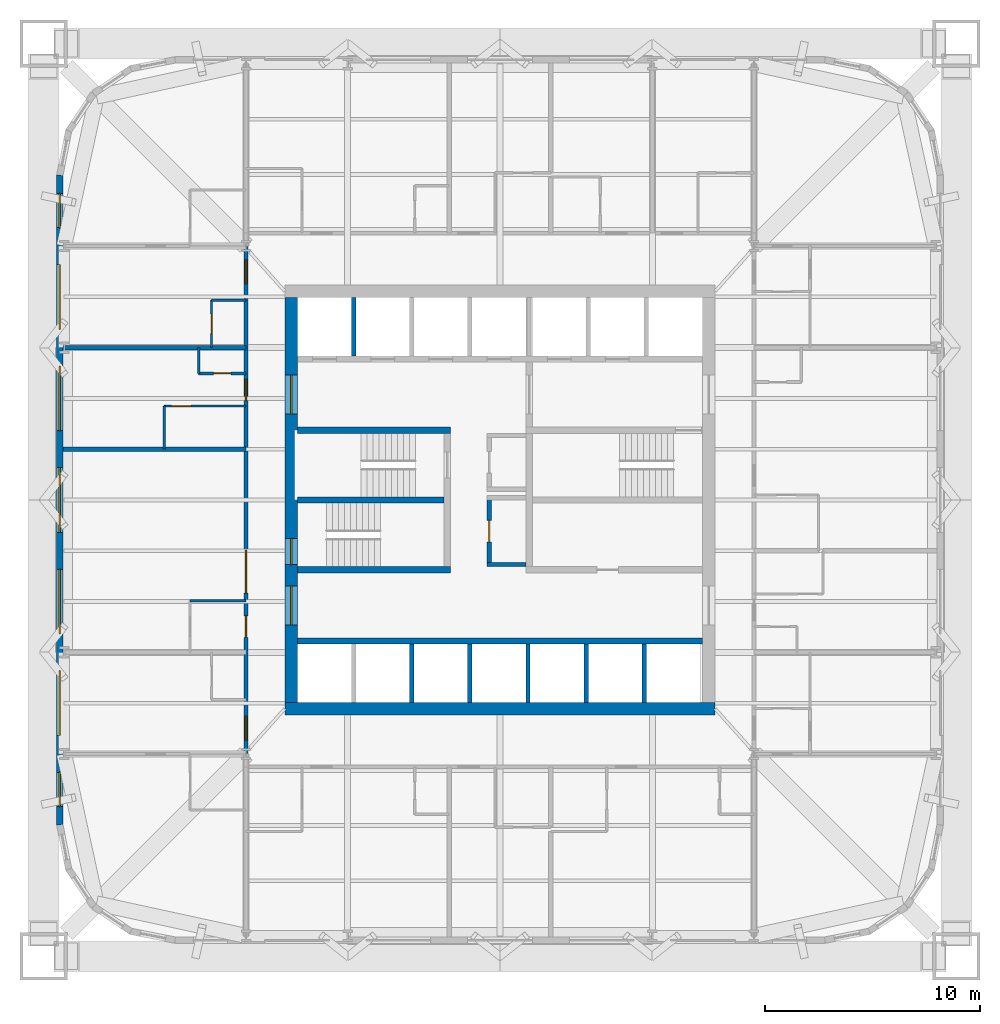
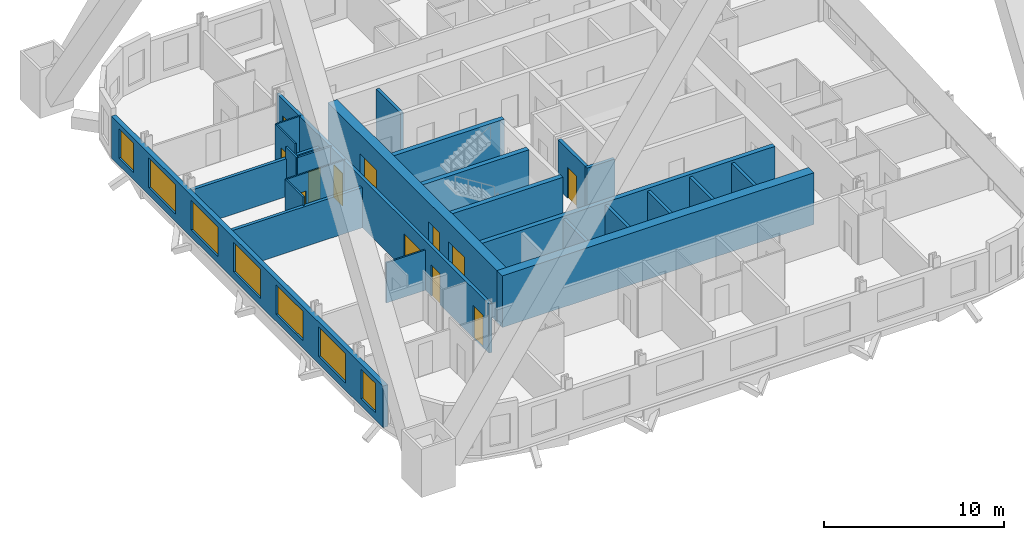
# One storey, part 4 of 9: 25 walls, 12 doors, 7 windows, 19 openings.
"""IFC4 building model written with IfcOpenShell, lengths in metres."""

from ifc_helpers import new_model, si_unit, direction, frame, frame_2d, origin, place, context, subcontext, project, spatial, rectangle, extrude, material, layer, layer_set, type_object, element, fill, save


model = new_model("IFC4")

# Units and contexts
model_context = context("Model", 3, precision=1e-05, world=origin(), true_north=direction((0.0, 1.0)))
body_context = subcontext(model_context, "Body", "Model", "MODEL_VIEW")
ifc_project = project(units=[si_unit("LENGTHUNIT", "METRE"), si_unit("AREAUNIT", "SQUARE_METRE"), si_unit("VOLUMEUNIT", "CUBIC_METRE"), si_unit("PLANEANGLEUNIT", "RADIAN"), si_unit("MASSUNIT", "GRAM", prefix="KILO")], contexts=[model_context])

# Site, building, storey
site_placement = place(None, origin())
site = spatial("IfcSite", under=ifc_project, at=site_placement, CompositionType="ELEMENT")
building_placement = place(site_placement, origin())
building = spatial("IfcBuilding", under=site, at=building_placement, Name="Turquesa Mirador Hotel Tower", CompositionType="ELEMENT")
storey_placement = place(building_placement, frame((0.0, 0.0, 93.39990234375)))
storey = spatial("IfcBuildingStorey", under=building, at=storey_placement, Name="L24", CompositionType="ELEMENT", Elevation=93.39990234375)

# Wall
ifc_material_1 = material(Name="Gypsum board on steel studs", Category="steel")
ifc_layer_1 = layer(ifc_material_1, 0.10009765625)
ifc_layer_set_1 = layer_set([ifc_layer_1], Name="BATHROOM WALL 100")
wall_type_1 = type_object("IfcWallType", Name="BATHROOM WALL 100", PredefinedType="PARTITIONING", material=ifc_layer_set_1)
wall_1_placement = place(storey_placement, frame((40.60009765625, 40.320068359375, 0.0), z_axis=(0.0, 0.0, 1.0), x_axis=(1.0, 0.0, 0.0)))
element("IfcWall", 1, at=wall_1_placement, inside=storey, type_object=wall_type_1, Name="Partition L24 014", PredefinedType="PARTITIONING", context=body_context, shape_type="SweptSolid", body=[
    extrude(rectangle(XDim=2.599853515625, YDim=0.10009765625, at=frame_2d((1.2998046875, 0.0))), origin(), (0.0, 0.0, 1.0), 2.730712890625),
])

# Wall, opening, door
wall_2_placement = place(storey_placement, frame((39.39990234375, 49.360107421875, 0.0), z_axis=(0.0, 0.0, 1.0), x_axis=(1.0, 0.0, 0.0)))
wall_2 = element("IfcWall", 2, at=wall_2_placement, inside=storey, type_object=wall_type_1, Name="Partition L24 032", PredefinedType="PARTITIONING", context=body_context, shape_type="SweptSolid", body=[
    extrude(rectangle(XDim=3.800048828125, YDim=0.10009765625, at=frame_2d((1.89990234375, 0.0))), origin(), (0.0, 0.0, 1.0), 3.330078125),
])
opening_1_placement = place(wall_2_placement, frame((0.35009765625, 0.0, 0.0)))
opening_1 = element("IfcOpeningElement", 3, at=opening_1_placement, cuts=wall_2, Name="Opening D02", PredefinedType="OPENING", context=body_context, shape_type="SweptSolid", body=[
    extrude(rectangle(XDim=0.89990234375, YDim=2.10009765625, at=frame_2d((0.449951171875, 1.050048828125))), frame((0.0, 0.06005859375, 0.0), z_axis=(0.0, -1.0, 0.0), x_axis=(1.0, 0.0, 0.0)), (0.0, 0.0, 1.0), 0.1201171875),
])
ifc_material_2 = material(Name="Timber veneered door", Category="wood")
door_type_1 = type_object("IfcDoorType", Name="DOOR 900X2100 EN-SUITE", OperationType="SINGLE_SWING_RIGHT", PredefinedType="DOOR", material=ifc_material_2)
door_1_placement = place(opening_1_placement, origin())
door_1 = element("IfcDoor", 4, at=door_1_placement, inside=storey, type_object=door_type_1, Name="Door 2410B", OperationType="SINGLE_SWING_RIGHT", OverallHeight=2.10009765625, OverallWidth=0.89990234375, PredefinedType="DOOR", context=body_context, shape_type="SweptSolid", body=[
    extrude(rectangle(XDim=0.89990234375, YDim=2.10009765625, at=frame_2d((0.449951171875, 1.050048828125))), frame((0.0, 0.02490234375, 0.0), z_axis=(0.0, -1.0, 0.0), x_axis=(1.0, 0.0, 0.0)), (0.0, 0.0, 1.0), 0.050048828125),
])
fill(opening_1, door_1)

# Wall
wall_3_placement = place(storey_placement, frame((41.60009765625, 54.280029296875, 0.0), z_axis=(0.0, 0.0, 1.0), x_axis=(1.0, 0.0, 0.0)))
element("IfcWall", 5, at=wall_3_placement, inside=storey, type_object=wall_type_1, Name="Partition L24 037", PredefinedType="PARTITIONING", context=body_context, shape_type="SweptSolid", body=[
    extrude(rectangle(XDim=1.599853515625, YDim=0.10009765625, at=frame_2d((0.7998046875, 0.0))), origin(), (0.0, 0.0, 1.0), 3.330078125),
])

# Wall, opening, door
wall_4_placement = place(storey_placement, frame((41.60009765625, 52.080078125, 0.0), z_axis=(0.0, 0.0, 1.0), x_axis=(0.0, 1.0, 0.0)))
wall_4 = element("IfcWall", 6, at=wall_4_placement, inside=storey, type_object=wall_type_1, Name="Partition L24 045", PredefinedType="PARTITIONING", context=body_context, shape_type="SweptSolid", body=[
    extrude(rectangle(XDim=2.199951171875, YDim=0.10009765625, at=frame_2d((1.10009765625, 0.0))), origin(), (0.0, 0.0, 1.0), 3.330078125),
])
opening_2_placement = place(wall_4_placement, frame((0.64990234375, 0.0, 0.0)))
opening_2 = element("IfcOpeningElement", 7, at=opening_2_placement, cuts=wall_4, Name="Opening D06", PredefinedType="OPENING", context=body_context, shape_type="SweptSolid", body=[
    extrude(rectangle(XDim=0.89990234375, YDim=2.10009765625, at=frame_2d((0.449951171875, 1.050048828125))), frame((0.0, 0.06005859375, 0.0), z_axis=(0.0, -1.0, 0.0), x_axis=(1.0, 0.0, 0.0)), (0.0, 0.0, 1.0), 0.1201171875),
])
ifc_material_3 = material(Name="Laminate door", Category="wood")
door_type_2 = type_object("IfcDoorType", Name="DOOR 900X2100 WC", OperationType="SINGLE_SWING_LEFT", PredefinedType="DOOR", material=ifc_material_3)
door_2_placement = place(opening_2_placement, origin())
door_2 = element("IfcDoor", 8, at=door_2_placement, inside=storey, type_object=door_type_2, Name="Door 2412W", OperationType="SINGLE_SWING_LEFT", OverallHeight=2.10009765625, OverallWidth=0.89990234375, PredefinedType="DOOR", context=body_context, shape_type="SweptSolid", body=[
    extrude(rectangle(XDim=0.89990234375, YDim=2.10009765625, at=frame_2d((0.449951171875, 1.050048828125))), frame((0.0, 0.02490234375, 0.0), z_axis=(0.0, -1.0, 0.0), x_axis=(1.0, 0.0, 0.0)), (0.0, 0.0, 1.0), 0.050048828125),
])
fill(opening_2, door_2)

# Walls
wall_5_placement = place(storey_placement, frame((39.39990234375, 47.360107421875, 0.0), z_axis=(0.0, 0.0, 1.0), x_axis=(0.0, 1.0, 0.0)))
element("IfcWall", 9, at=wall_5_placement, inside=storey, type_object=wall_type_1, Name="Partition L24 050", PredefinedType="PARTITIONING", context=body_context, shape_type="SweptSolid", body=[
    extrude(rectangle(XDim=2.0, YDim=0.10009765625, at=frame_2d((1.0, 0.0))), origin(), (0.0, 0.0, 1.0), 3.330078125),
])
ifc_material_4 = material(Name="Concrete C50/60", Category="concrete")
ifc_layer_2 = layer(ifc_material_4, 0.300048828125)
ifc_layer_set_2 = layer_set([ifc_layer_2], Name="CORE INNER WALL 300")
wall_type_2 = type_object("IfcWallType", Name="CORE INNER WALL 300", PredefinedType="SHEAR", material=ifc_layer_set_2)
wall_6_placement = place(storey_placement, frame((45.60009765625, 38.449951171875, 0.0), z_axis=(0.0, 0.0, 1.0), x_axis=(1.0, 0.0, 0.0)))
element("IfcWall", 10, at=wall_6_placement, inside=storey, type_object=wall_type_2, Name="Core wall SL", PredefinedType="SHEAR", context=body_context, shape_type="SweptSolid", body=[
    extrude(rectangle(XDim=18.7998046875, YDim=0.300048828125, at=frame_2d((9.39990234375, 0.0))), origin(), (0.0, 0.0, 1.0), 3.5),
])
for number, where, z_axis, x_axis, name in (
    (11, (45.60009765625, 48.25, 0.0), (0.0, 0.0, 1.0), (1.0, 0.0, 0.0), "Core wall MN-W"),
    (12, (45.60009765625, 41.75, 0.0), (0.0, 0.0, 1.0), (1.0, 0.0, 0.0), "Core wall MS-W"),
):
    element("IfcWall", number, at=place(storey_placement, frame(where, z_axis=z_axis, x_axis=x_axis)), inside=storey, type_object=wall_type_2, Name=name, PredefinedType="SHEAR", context=body_context, shape_type="SweptSolid", body=[
        extrude(rectangle(XDim=7.099853515625, YDim=0.300048828125, at=frame_2d((3.5498046875, 0.0))), origin(), (0.0, 0.0, 1.0), 3.5),
    ])
wall_7_placement = place(storey_placement, frame((45.60009765625, 45.0, 0.0), z_axis=(0.0, 0.0, 1.0), x_axis=(1.0, 0.0, 0.0)))
element("IfcWall", 13, at=wall_7_placement, inside=storey, type_object=wall_type_2, Name="Core wall M0-W", PredefinedType="SHEAR", context=body_context, shape_type="SweptSolid", body=[
    extrude(rectangle(XDim=6.7998046875, YDim=0.300048828125, at=frame_2d((3.39990234375, 0.0))), origin(), (0.0, 0.0, 1.0), 3.5),
])
ifc_material_5 = material(Name="Concrete C50/60", Category="concrete")
ifc_layer_3 = layer(ifc_material_5, 0.60009765625)
ifc_layer_set_3 = layer_set([ifc_layer_3], Name="CORE WALL 600")
wall_type_3 = type_object("IfcWallType", Name="CORE WALL 600", PredefinedType="SHEAR", material=ifc_layer_set_3)
wall_8_placement = place(storey_placement, frame((45.0, 35.300048828125, 0.0), z_axis=(0.0, 0.0, 1.0), x_axis=(1.0, 0.0, 0.0)))
element("IfcWall", 14, at=wall_8_placement, inside=storey, type_object=wall_type_3, Name="Core wall S", PredefinedType="SHEAR", context=body_context, shape_type="SweptSolid", body=[
    extrude(rectangle(XDim=20.0, YDim=0.60009765625, at=frame_2d((10.0, 0.0))), origin(), (0.0, 0.0, 1.0), 3.5),
])

# Wall, openings, doors
wall_9_placement = place(storey_placement, frame((45.300048828125, 35.60009765625, 0.0), z_axis=(0.0, 0.0, 1.0), x_axis=(0.0, 1.0, 0.0)))
wall_9 = element("IfcWall", 15, at=wall_9_placement, inside=storey, type_object=wall_type_3, Name="Core wall W", PredefinedType="SHEAR", context=body_context, shape_type="SweptSolid", body=[
    extrude(rectangle(XDim=18.7998046875, YDim=0.60009765625, at=frame_2d((9.39990234375, 0.0))), origin(), (0.0, 0.0, 1.0), 3.5),
])
opening_3_placement = place(wall_9_placement, frame((13.39990234375, 0.0, 0.0)))
opening_3 = element("IfcOpeningElement", 16, at=opening_3_placement, cuts=wall_9, Name="Opening D04", PredefinedType="OPENING", context=body_context, shape_type="SweptSolid", body=[
    extrude(rectangle(XDim=1.800048828125, YDim=2.199951171875, at=frame_2d((0.89990234375, 1.10009765625))), frame((0.0, 0.31005859375, 0.0), z_axis=(0.0, -1.0, 0.0), x_axis=(1.0, 0.0, 0.0)), (0.0, 0.0, 1.0), 0.6201171875),
])
opening_4_placement = place(wall_9_placement, frame((3.60009765625, 0.0, 0.0)))
opening_4 = element("IfcOpeningElement", 17, at=opening_4_placement, cuts=wall_9, Name="Opening D04", PredefinedType="OPENING", context=body_context, shape_type="SweptSolid", body=[
    extrude(rectangle(XDim=1.800048828125, YDim=2.199951171875, at=frame_2d((0.89990234375, 1.10009765625))), frame((0.0, 0.31005859375, 0.0), z_axis=(0.0, -1.0, 0.0), x_axis=(1.0, 0.0, 0.0)), (0.0, 0.0, 1.0), 0.6201171875),
])
opening_5_placement = place(wall_9_placement, frame((6.39990234375, 0.0, 0.0)))
opening_5 = element("IfcOpeningElement", 18, at=opening_5_placement, cuts=wall_9, Name="Opening D03", PredefinedType="OPENING", context=body_context, shape_type="SweptSolid", body=[
    extrude(rectangle(XDim=1.199951171875, YDim=2.199951171875, at=frame_2d((0.60009765625, 1.10009765625))), frame((0.0, 0.31005859375, 0.0), z_axis=(0.0, -1.0, 0.0), x_axis=(1.0, 0.0, 0.0)), (0.0, 0.0, 1.0), 0.6201171875),
])
ifc_material_6 = material(Name="Steel fire door", Category="steel")
door_type_3 = type_object("IfcDoorType", Name="DOOR 1200X2200 STAIR", OperationType="SINGLE_SWING_LEFT", PredefinedType="DOOR", material=ifc_material_6)
door_3_placement = place(opening_5_placement, origin())
door_3 = element("IfcDoor", 19, at=door_3_placement, inside=storey, type_object=door_type_3, Name="Stair ST2 door", OperationType="SINGLE_SWING_LEFT", OverallHeight=2.199951171875, OverallWidth=1.199951171875, PredefinedType="DOOR", context=body_context, shape_type="SweptSolid", body=[
    extrude(rectangle(XDim=1.199951171875, YDim=2.199951171875, at=frame_2d((0.60009765625, 1.10009765625))), frame((0.0, 0.02490234375, 0.0), z_axis=(0.0, -1.0, 0.0), x_axis=(1.0, 0.0, 0.0)), (0.0, 0.0, 1.0), 0.050048828125),
])
fill(opening_5, door_3)
ifc_material_7 = material(Name="Steel fire door pair", Category="steel")
door_type_4 = type_object("IfcDoorType", Name="DOOR 1800X2200 PAIR", OperationType="DOUBLE_DOOR_SINGLE_SWING", PredefinedType="DOOR", material=ifc_material_7)
door_4_placement = place(opening_3_placement, origin())
door_4 = element("IfcDoor", 20, at=door_4_placement, inside=storey, type_object=door_type_4, Name="North lift lobby door", OperationType="DOUBLE_DOOR_SINGLE_SWING", OverallHeight=2.199951171875, OverallWidth=1.800048828125, PredefinedType="DOOR", context=body_context, shape_type="SweptSolid", body=[
    extrude(rectangle(XDim=1.800048828125, YDim=2.199951171875, at=frame_2d((0.89990234375, 1.10009765625))), frame((0.0, 0.02490234375, 0.0), z_axis=(0.0, -1.0, 0.0), x_axis=(1.0, 0.0, 0.0)), (0.0, 0.0, 1.0), 0.050048828125),
])
fill(opening_3, door_4)
door_5_placement = place(opening_4_placement, origin())
door_5 = element("IfcDoor", 21, at=door_5_placement, inside=storey, type_object=door_type_4, Name="South lift lobby door", OperationType="DOUBLE_DOOR_SINGLE_SWING", OverallHeight=2.199951171875, OverallWidth=1.800048828125, PredefinedType="DOOR", context=body_context, shape_type="SweptSolid", body=[
    extrude(rectangle(XDim=1.800048828125, YDim=2.199951171875, at=frame_2d((0.89990234375, 1.10009765625))), frame((0.0, 0.02490234375, 0.0), z_axis=(0.0, -1.0, 0.0), x_axis=(1.0, 0.0, 0.0)), (0.0, 0.0, 1.0), 0.050048828125),
])
fill(opening_4, door_5)

ifc_material_8 = material(Name="Fire-rated gypsum board on steel studs", Category="steel")
ifc_layer_4 = layer(ifc_material_8, 0.199951171875)
ifc_layer_set_4 = layer_set([ifc_layer_4], Name="CORRIDOR WALL 200")
wall_type_4 = type_object("IfcWallType", Name="CORRIDOR WALL 200", PredefinedType="PARTITIONING", material=ifc_layer_set_4)
wall_10_placement = place(storey_placement, frame((43.199951171875, 33.219970703125, 0.0), z_axis=(0.0, 0.0, 1.0), x_axis=(0.0, 1.0, 0.0)))
wall_10 = element("IfcWall", 22, at=wall_10_placement, inside=storey, type_object=wall_type_4, Name="Partition L24 041", PredefinedType="PARTITIONING", context=body_context, shape_type="SweptSolid", body=[
    extrude(rectangle(XDim=23.56005859375, YDim=0.199951171875, at=frame_2d((11.780029296875, 0.0))), origin(), (0.0, 0.0, 1.0), 3.330078125),
])
opening_6_placement = place(wall_10_placement, frame((16.39990234375, 0.0, 0.0)))
opening_6 = element("IfcOpeningElement", 23, at=opening_6_placement, cuts=wall_10, Name="Opening D01", PredefinedType="OPENING", context=body_context, shape_type="SweptSolid", body=[
    extrude(rectangle(XDim=1.0, YDim=2.199951171875, at=frame_2d((0.5, 1.10009765625))), frame((0.0, 0.10986328125, 0.0), z_axis=(0.0, -1.0, 0.0), x_axis=(1.0, 0.0, 0.0)), (0.0, 0.0, 1.0), 0.219970703125),
])
opening_7_placement = place(wall_10_placement, frame((21.830078125, 0.0, 0.0)))
opening_7 = element("IfcOpeningElement", 24, at=opening_7_placement, cuts=wall_10, Name="Opening D15", PredefinedType="OPENING", context=body_context, shape_type="SweptSolid", body=[
    extrude(rectangle(XDim=1.10009765625, YDim=2.199951171875, at=frame_2d((0.550048828125, 1.10009765625))), frame((0.0, 0.10986328125, 0.0), z_axis=(0.0, -1.0, 0.0), x_axis=(1.0, 0.0, 0.0)), (0.0, 0.0, 1.0), 0.219970703125),
])
opening_8_placement = place(wall_10_placement, frame((0.6298828125, 0.0, 0.0)))
opening_8 = element("IfcOpeningElement", 25, at=opening_8_placement, cuts=wall_10, Name="Opening D15", PredefinedType="OPENING", context=body_context, shape_type="SweptSolid", body=[
    extrude(rectangle(XDim=1.10009765625, YDim=2.199951171875, at=frame_2d((0.550048828125, 1.10009765625))), frame((0.0, 0.10986328125, 0.0), z_axis=(0.0, -1.0, 0.0), x_axis=(1.0, 0.0, 0.0)), (0.0, 0.0, 1.0), 0.219970703125),
])
opening_9_placement = place(wall_10_placement, frame((7.449951171875, 0.0, 0.0)))
opening_9 = element("IfcOpeningElement", 26, at=opening_9_placement, cuts=wall_10, Name="Opening D18", PredefinedType="OPENING", context=body_context, shape_type="SweptSolid", body=[
    extrude(rectangle(XDim=2.0, YDim=2.39990234375, at=frame_2d((1.0, 1.199951171875))), frame((0.0, 0.10986328125, 0.0), z_axis=(0.0, -1.0, 0.0), x_axis=(1.0, 0.0, 0.0)), (0.0, 0.0, 1.0), 0.219970703125),
])
opening_10_placement = place(wall_10_placement, frame((5.39990234375, 0.0, 0.0)))
opening_10 = element("IfcOpeningElement", 27, at=opening_10_placement, cuts=wall_10, Name="Opening D05", PredefinedType="OPENING", context=body_context, shape_type="SweptSolid", body=[
    extrude(rectangle(XDim=1.0, YDim=2.10009765625, at=frame_2d((0.5, 1.050048828125))), frame((0.0, 0.10986328125, 0.0), z_axis=(0.0, -1.0, 0.0), x_axis=(1.0, 0.0, 0.0)), (0.0, 0.0, 1.0), 0.219970703125),
])
ifc_material_9 = material(Name="Steel fire door", Category="steel")
door_type_5 = type_object("IfcDoorType", Name="DOOR 1000X2100 SERVICE", OperationType="SINGLE_SWING_LEFT", PredefinedType="DOOR", material=ifc_material_9)
door_6_placement = place(opening_10_placement, origin())
door_6 = element("IfcDoor", 28, at=door_6_placement, inside=storey, type_object=door_type_5, Name="Door L24-LGP-1", OperationType="SINGLE_SWING_LEFT", OverallHeight=2.10009765625, OverallWidth=1.0, PredefinedType="DOOR", context=body_context, shape_type="SweptSolid", body=[
    extrude(rectangle(XDim=1.0, YDim=2.10009765625, at=frame_2d((0.5, 1.050048828125))), frame((0.0, 0.02490234375, 0.0), z_axis=(0.0, -1.0, 0.0), x_axis=(1.0, 0.0, 0.0)), (0.0, 0.0, 1.0), 0.050048828125),
])
fill(opening_10, door_6)
ifc_material_10 = material(Name="Timber veneered fire door", Category="wood")
door_type_6 = type_object("IfcDoorType", Name="DOOR 1000X2200 GUEST ENTRY", OperationType="SINGLE_SWING_LEFT", PredefinedType="DOOR", material=ifc_material_10)
door_7_placement = place(opening_6_placement, origin())
door_7 = element("IfcDoor", 29, at=door_7_placement, inside=storey, type_object=door_type_6, Name="Door 2410", OperationType="SINGLE_SWING_LEFT", OverallHeight=2.199951171875, OverallWidth=1.0, PredefinedType="DOOR", context=body_context, shape_type="SweptSolid", body=[
    extrude(rectangle(XDim=1.0, YDim=2.199951171875, at=frame_2d((0.5, 1.10009765625))), frame((0.0, 0.02490234375, 0.0), z_axis=(0.0, -1.0, 0.0), x_axis=(1.0, 0.0, 0.0)), (0.0, 0.0, 1.0), 0.050048828125),
])
fill(opening_6, door_7)
ifc_material_11 = material(Name="Timber veneered fire door", Category="wood")
door_type_7 = type_object("IfcDoorType", Name="DOOR 1100X2200 SUITE ENTRY", OperationType="SINGLE_SWING_LEFT", PredefinedType="DOOR", material=ifc_material_11)
door_8_placement = place(opening_7_placement, origin())
door_8 = element("IfcDoor", 30, at=door_8_placement, inside=storey, type_object=door_type_7, Name="Door 2412", OperationType="SINGLE_SWING_LEFT", OverallHeight=2.199951171875, OverallWidth=1.10009765625, PredefinedType="DOOR", context=body_context, shape_type="SweptSolid", body=[
    extrude(rectangle(XDim=1.10009765625, YDim=2.199951171875, at=frame_2d((0.550048828125, 1.10009765625))), frame((0.0, 0.02490234375, 0.0), z_axis=(0.0, -1.0, 0.0), x_axis=(1.0, 0.0, 0.0)), (0.0, 0.0, 1.0), 0.050048828125),
])
fill(opening_7, door_8)
door_9_placement = place(opening_8_placement, origin())
door_9 = element("IfcDoor", 31, at=door_9_placement, inside=storey, type_object=door_type_7, Name="Door 2413", OperationType="SINGLE_SWING_LEFT", OverallHeight=2.199951171875, OverallWidth=1.10009765625, PredefinedType="DOOR", context=body_context, shape_type="SweptSolid", body=[
    extrude(rectangle(XDim=1.10009765625, YDim=2.199951171875, at=frame_2d((0.550048828125, 1.10009765625))), frame((0.0, 0.02490234375, 0.0), z_axis=(0.0, -1.0, 0.0), x_axis=(1.0, 0.0, 0.0)), (0.0, 0.0, 1.0), 0.050048828125),
])
fill(opening_8, door_9)
ifc_material_12 = material(Name="Timber veneered fire door pair", Category="wood")
door_type_8 = type_object("IfcDoorType", Name="DOOR 2000X2400 LOUNGE PAIR", OperationType="DOUBLE_DOOR_SINGLE_SWING", PredefinedType="DOOR", material=ifc_material_12)
door_10_placement = place(opening_9_placement, origin())
door_10 = element("IfcDoor", 32, at=door_10_placement, inside=storey, type_object=door_type_8, Name="Door L24-LG", OperationType="DOUBLE_DOOR_SINGLE_SWING", OverallHeight=2.39990234375, OverallWidth=2.0, PredefinedType="DOOR", context=body_context, shape_type="SweptSolid", body=[
    extrude(rectangle(XDim=2.0, YDim=2.39990234375, at=frame_2d((1.0, 1.199951171875))), frame((0.0, 0.02490234375, 0.0), z_axis=(0.0, -1.0, 0.0), x_axis=(1.0, 0.0, 0.0)), (0.0, 0.0, 1.0), 0.050048828125),
])
fill(opening_9, door_10)

# Wall, openings, windows
ifc_material_13 = material(Name="Limestone cladding on concrete block", Category="masonry")
ifc_layer_5 = layer(ifc_material_13, 0.300048828125)
ifc_layer_set_5 = layer_set([ifc_layer_5], Name="FACADE WALL 300 STONE SCREEN")
wall_type_5 = type_object("IfcWallType", Name="FACADE WALL 300 STONE SCREEN", PredefinedType="SOLIDWALL", material=ifc_layer_set_5)
wall_11_placement = place(storey_placement, frame((34.550048828125, 60.10009765625, 0.0), z_axis=(0.0, 0.0, 1.0), x_axis=(0.0, -1.0, 0.0)))
wall_11 = element("IfcWall", 33, at=wall_11_placement, inside=storey, type_object=wall_type_5, Name="Facade wall L24 14", PredefinedType="SOLIDWALL", context=body_context, shape_type="SweptSolid", body=[
    extrude(rectangle(XDim=30.2001953125, YDim=0.300048828125, at=frame_2d((15.10009765625, 0.0))), origin(), (0.0, 0.0, 1.0), 2.830078125),
])
opening_11_placement = place(wall_11_placement, frame((0.85009765625, 0.0, 0.5)))
opening_11 = element("IfcOpeningElement", 34, at=opening_11_placement, cuts=wall_11, Name="Opening WN3", PredefinedType="OPENING", context=body_context, shape_type="SweptSolid", body=[
    extrude(rectangle(XDim=1.60009765625, YDim=2.0, at=frame_2d((0.800048828125, 1.0))), frame((0.0, 0.159912109375, 0.0), z_axis=(0.0, -1.0, 0.0), x_axis=(1.0, 0.0, 0.0)), (0.0, 0.0, 1.0), 0.320068359375),
])
opening_12_placement = place(wall_11_placement, frame((4.159912109375, 0.0, 0.5)))
opening_12 = element("IfcOpeningElement", 35, at=opening_12_placement, cuts=wall_11, Name="Opening WN1", PredefinedType="OPENING", context=body_context, shape_type="SweptSolid", body=[
    extrude(rectangle(XDim=3.0, YDim=2.0, at=frame_2d((1.5, 1.0))), frame((0.0, 0.159912109375, 0.0), z_axis=(0.0, -1.0, 0.0), x_axis=(1.0, 0.0, 0.0)), (0.0, 0.0, 1.0), 0.320068359375),
])
opening_13_placement = place(wall_11_placement, frame((8.8798828125, 0.0, 0.5)))
opening_13 = element("IfcOpeningElement", 36, at=opening_13_placement, cuts=wall_11, Name="Opening WN1", PredefinedType="OPENING", context=body_context, shape_type="SweptSolid", body=[
    extrude(rectangle(XDim=3.0, YDim=2.0, at=frame_2d((1.5, 1.0))), frame((0.0, 0.159912109375, 0.0), z_axis=(0.0, -1.0, 0.0), x_axis=(1.0, 0.0, 0.0)), (0.0, 0.0, 1.0), 0.320068359375),
])
opening_14_placement = place(wall_11_placement, frame((13.60009765625, 0.0, 0.5)))
opening_14 = element("IfcOpeningElement", 37, at=opening_14_placement, cuts=wall_11, Name="Opening WN1", PredefinedType="OPENING", context=body_context, shape_type="SweptSolid", body=[
    extrude(rectangle(XDim=3.0, YDim=2.0, at=frame_2d((1.5, 1.0))), frame((0.0, 0.159912109375, 0.0), z_axis=(0.0, -1.0, 0.0), x_axis=(1.0, 0.0, 0.0)), (0.0, 0.0, 1.0), 0.320068359375),
])
opening_15_placement = place(wall_11_placement, frame((18.320068359375, 0.0, 0.5)))
opening_15 = element("IfcOpeningElement", 38, at=opening_15_placement, cuts=wall_11, Name="Opening WN1", PredefinedType="OPENING", context=body_context, shape_type="SweptSolid", body=[
    extrude(rectangle(XDim=3.0, YDim=2.0, at=frame_2d((1.5, 1.0))), frame((0.0, 0.159912109375, 0.0), z_axis=(0.0, -1.0, 0.0), x_axis=(1.0, 0.0, 0.0)), (0.0, 0.0, 1.0), 0.320068359375),
])
opening_16_placement = place(wall_11_placement, frame((23.0400390625, 0.0, 0.5)))
opening_16 = element("IfcOpeningElement", 39, at=opening_16_placement, cuts=wall_11, Name="Opening WN1", PredefinedType="OPENING", context=body_context, shape_type="SweptSolid", body=[
    extrude(rectangle(XDim=3.0, YDim=2.0, at=frame_2d((1.5, 1.0))), frame((0.0, 0.159912109375, 0.0), z_axis=(0.0, -1.0, 0.0), x_axis=(1.0, 0.0, 0.0)), (0.0, 0.0, 1.0), 0.320068359375),
])
opening_17_placement = place(wall_11_placement, frame((27.75, 0.0, 0.5)))
opening_17 = element("IfcOpeningElement", 40, at=opening_17_placement, cuts=wall_11, Name="Opening WN3", PredefinedType="OPENING", context=body_context, shape_type="SweptSolid", body=[
    extrude(rectangle(XDim=1.60009765625, YDim=2.0, at=frame_2d((0.800048828125, 1.0))), frame((0.0, 0.159912109375, 0.0), z_axis=(0.0, -1.0, 0.0), x_axis=(1.0, 0.0, 0.0)), (0.0, 0.0, 1.0), 0.320068359375),
])
ifc_material_14 = material(Name="Ceramic-fritted laminated glass", Category="glass")
window_type_1 = type_object("IfcWindowType", Name="FRITTED WINDOW 1600X2000", PartitioningType="DOUBLE_PANEL_HORIZONTAL", PredefinedType="WINDOW", material=ifc_material_14)
window_1_placement = place(opening_11_placement, origin())
window_1 = element("IfcWindow", 41, at=window_1_placement, inside=storey, type_object=window_type_1, Name="Window L24", OverallHeight=2.0, OverallWidth=1.60009765625, PartitioningType="SINGLE_PANEL", PredefinedType="WINDOW", context=body_context, shape_type="SweptSolid", body=[
    extrude(rectangle(XDim=1.60009765625, YDim=2.0, at=frame_2d((0.800048828125, 1.0))), frame((0.0, 0.030029296875, 0.0), z_axis=(0.0, -1.0, 0.0), x_axis=(1.0, 0.0, 0.0)), (0.0, 0.0, 1.0), 0.06005859375),
])
fill(opening_11, window_1)
window_2_placement = place(opening_17_placement, origin())
window_2 = element("IfcWindow", 42, at=window_2_placement, inside=storey, type_object=window_type_1, Name="Window L24", OverallHeight=2.0, OverallWidth=1.60009765625, PartitioningType="SINGLE_PANEL", PredefinedType="WINDOW", context=body_context, shape_type="SweptSolid", body=[
    extrude(rectangle(XDim=1.60009765625, YDim=2.0, at=frame_2d((0.800048828125, 1.0))), frame((0.0, 0.030029296875, 0.0), z_axis=(0.0, -1.0, 0.0), x_axis=(1.0, 0.0, 0.0)), (0.0, 0.0, 1.0), 0.06005859375),
])
fill(opening_17, window_2)
ifc_material_15 = material(Name="Ceramic-fritted laminated glass", Category="glass")
window_type_2 = type_object("IfcWindowType", Name="FRITTED WINDOW 3000X2000", PartitioningType="DOUBLE_PANEL_HORIZONTAL", PredefinedType="WINDOW", material=ifc_material_15)
window_3_placement = place(opening_12_placement, origin())
window_3 = element("IfcWindow", 43, at=window_3_placement, inside=storey, type_object=window_type_2, Name="Window L24", OverallHeight=2.0, OverallWidth=3.0, PartitioningType="SINGLE_PANEL", PredefinedType="WINDOW", context=body_context, shape_type="SweptSolid", body=[
    extrude(rectangle(XDim=3.0, YDim=2.0, at=frame_2d((1.5, 1.0))), frame((0.0, 0.030029296875, 0.0), z_axis=(0.0, -1.0, 0.0), x_axis=(1.0, 0.0, 0.0)), (0.0, 0.0, 1.0), 0.06005859375),
])
fill(opening_12, window_3)
window_4_placement = place(opening_13_placement, origin())
window_4 = element("IfcWindow", 44, at=window_4_placement, inside=storey, type_object=window_type_2, Name="Window L24", OverallHeight=2.0, OverallWidth=3.0, PartitioningType="SINGLE_PANEL", PredefinedType="WINDOW", context=body_context, shape_type="SweptSolid", body=[
    extrude(rectangle(XDim=3.0, YDim=2.0, at=frame_2d((1.5, 1.0))), frame((0.0, 0.030029296875, 0.0), z_axis=(0.0, -1.0, 0.0), x_axis=(1.0, 0.0, 0.0)), (0.0, 0.0, 1.0), 0.06005859375),
])
fill(opening_13, window_4)
window_5_placement = place(opening_14_placement, origin())
window_5 = element("IfcWindow", 45, at=window_5_placement, inside=storey, type_object=window_type_2, Name="Window L24", OverallHeight=2.0, OverallWidth=3.0, PartitioningType="SINGLE_PANEL", PredefinedType="WINDOW", context=body_context, shape_type="SweptSolid", body=[
    extrude(rectangle(XDim=3.0, YDim=2.0, at=frame_2d((1.5, 1.0))), frame((0.0, 0.030029296875, 0.0), z_axis=(0.0, -1.0, 0.0), x_axis=(1.0, 0.0, 0.0)), (0.0, 0.0, 1.0), 0.06005859375),
])
fill(opening_14, window_5)
window_6_placement = place(opening_15_placement, origin())
window_6 = element("IfcWindow", 46, at=window_6_placement, inside=storey, type_object=window_type_2, Name="Window L24", OverallHeight=2.0, OverallWidth=3.0, PartitioningType="SINGLE_PANEL", PredefinedType="WINDOW", context=body_context, shape_type="SweptSolid", body=[
    extrude(rectangle(XDim=3.0, YDim=2.0, at=frame_2d((1.5, 1.0))), frame((0.0, 0.030029296875, 0.0), z_axis=(0.0, -1.0, 0.0), x_axis=(1.0, 0.0, 0.0)), (0.0, 0.0, 1.0), 0.06005859375),
])
fill(opening_15, window_6)
window_7_placement = place(opening_16_placement, origin())
window_7 = element("IfcWindow", 47, at=window_7_placement, inside=storey, type_object=window_type_2, Name="Window L24", OverallHeight=2.0, OverallWidth=3.0, PartitioningType="SINGLE_PANEL", PredefinedType="WINDOW", context=body_context, shape_type="SweptSolid", body=[
    extrude(rectangle(XDim=3.0, YDim=2.0, at=frame_2d((1.5, 1.0))), frame((0.0, 0.030029296875, 0.0), z_axis=(0.0, -1.0, 0.0), x_axis=(1.0, 0.0, 0.0)), (0.0, 0.0, 1.0), 0.06005859375),
])
fill(opening_16, window_7)

# Wall, opening, door
ifc_material_16 = material(Name="Fire-rated gypsum board on steel studs", Category="steel")
ifc_layer_6 = layer(ifc_material_16, 0.199951171875)
ifc_layer_set_6 = layer_set([ifc_layer_6], Name="FIRE PARTITION 200")
wall_type_6 = type_object("IfcWallType", Name="FIRE PARTITION 200", PredefinedType="PARTITIONING", material=ifc_layer_set_6)
wall_12_placement = place(storey_placement, frame((54.5, 42.0, 0.0), z_axis=(0.0, 0.0, 1.0), x_axis=(0.0, 1.0, 0.0)))
wall_12 = element("IfcWall", 48, at=wall_12_placement, inside=storey, type_object=wall_type_6, Name="Partition L24 BP W", PredefinedType="PARTITIONING", context=body_context, shape_type="SweptSolid", body=[
    extrude(rectangle(XDim=3.10009765625, YDim=0.199951171875, at=frame_2d((1.550048828125, 0.0))), origin(), (0.0, 0.0, 1.0), 3.330078125),
])
opening_18_placement = place(wall_12_placement, frame((1.050048828125, 0.0, 0.0)))
opening_18 = element("IfcOpeningElement", 49, at=opening_18_placement, cuts=wall_12, Name="Opening D05", PredefinedType="OPENING", context=body_context, shape_type="SweptSolid", body=[
    extrude(rectangle(XDim=1.0, YDim=2.10009765625, at=frame_2d((0.5, 1.050048828125))), frame((0.0, 0.10986328125, 0.0), z_axis=(0.0, -1.0, 0.0), x_axis=(1.0, 0.0, 0.0)), (0.0, 0.0, 1.0), 0.219970703125),
])
door_11_placement = place(opening_18_placement, origin())
door_11 = element("IfcDoor", 50, at=door_11_placement, inside=storey, type_object=door_type_5, Name="Lounge pantry door", OperationType="SINGLE_SWING_LEFT", OverallHeight=2.10009765625, OverallWidth=1.0, PredefinedType="DOOR", context=body_context, shape_type="SweptSolid", body=[
    extrude(rectangle(XDim=1.0, YDim=2.10009765625, at=frame_2d((0.5, 1.050048828125))), frame((0.0, 0.02490234375, 0.0), z_axis=(0.0, -1.0, 0.0), x_axis=(1.0, 0.0, 0.0)), (0.0, 0.0, 1.0), 0.050048828125),
])
fill(opening_18, door_11)

# Walls
wall_13_placement = place(storey_placement, frame((54.39990234375, 42.0, 0.0), z_axis=(0.0, 0.0, 1.0), x_axis=(1.0, 0.0, 0.0)))
element("IfcWall", 51, at=wall_13_placement, inside=storey, type_object=wall_type_6, Name="Partition L24 BP S", PredefinedType="PARTITIONING", context=body_context, shape_type="SweptSolid", body=[
    extrude(rectangle(XDim=1.800048828125, YDim=0.199951171875, at=frame_2d((0.89990234375, 0.0))), origin(), (0.0, 0.0, 1.0), 3.330078125),
])
ifc_material_17 = material(Name="Fire-rated gypsum shaft wall on steel studs", Category="steel")
ifc_layer_7 = layer(ifc_material_17, 0.199951171875)
ifc_layer_set_7 = layer_set([ifc_layer_7], Name="LIFT SHAFT DIVIDER 200")
wall_type_7 = type_object("IfcWallType", Name="LIFT SHAFT DIVIDER 200", PredefinedType="PARTITIONING", material=ifc_layer_set_7)
for number, where, z_axis, x_axis, name in (
    (52, (48.199951171875, 51.699951171875, 0.0), (0.0, 0.0, 1.0), (0.0, 1.0, 0.0), "Lift shaft divider"),
    (53, (50.89990234375, 35.60009765625, 0.0), (0.0, 0.0, 1.0), (0.0, 1.0, 0.0), "Lift shaft divider"),
    (54, (53.60009765625, 35.60009765625, 0.0), (0.0, 0.0, 1.0), (0.0, 1.0, 0.0), "Lift shaft divider"),
    (55, (56.300048828125, 35.60009765625, 0.0), (0.0, 0.0, 1.0), (0.0, 1.0, 0.0), "Lift shaft divider"),
    (56, (59.0, 35.60009765625, 0.0), (0.0, 0.0, 1.0), (0.0, 1.0, 0.0), "Lift shaft divider"),
    (57, (61.699951171875, 35.60009765625, 0.0), (0.0, 0.0, 1.0), (0.0, 1.0, 0.0), "Lift shaft divider"),
):
    element("IfcWall", number, at=place(storey_placement, frame(where, z_axis=z_axis, x_axis=x_axis)), inside=storey, type_object=wall_type_7, Name=name, PredefinedType="PARTITIONING", context=body_context, shape_type="SweptSolid", body=[
        extrude(rectangle(XDim=2.699951171875, YDim=0.199951171875, at=frame_2d((1.35009765625, 0.0))), origin(), (0.0, 0.0, 1.0), 3.330078125),
    ])
ifc_material_18 = material(Name="Fire-rated gypsum board on steel studs", Category="steel")
ifc_layer_8 = layer(ifc_material_18, 0.199951171875)
ifc_layer_set_8 = layer_set([ifc_layer_8], Name="PARTY WALL 200")
wall_type_8 = type_object("IfcWallType", Name="PARTY WALL 200", PredefinedType="PARTITIONING", material=ifc_layer_set_8)
wall_14_placement = place(storey_placement, frame((34.699951171875, 47.360107421875, 0.0), z_axis=(0.0, 0.0, 1.0), x_axis=(1.0, 0.0, 0.0)))
element("IfcWall", 58, at=wall_14_placement, inside=storey, type_object=wall_type_8, Name="Partition L24 031", PredefinedType="PARTITIONING", context=body_context, shape_type="SweptSolid", body=[
    extrude(rectangle(XDim=8.5, YDim=0.199951171875, at=frame_2d((4.25, 0.0))), origin(), (0.0, 0.0, 1.0), 2.730712890625),
])
wall_15_placement = place(storey_placement, frame((34.699951171875, 52.080078125, 0.0), z_axis=(0.0, 0.0, 1.0), x_axis=(1.0, 0.0, 0.0)))
element("IfcWall", 59, at=wall_15_placement, inside=storey, type_object=wall_type_8, Name="Partition L24 035", PredefinedType="PARTITIONING", context=body_context, shape_type="SweptSolid", body=[
    extrude(rectangle(XDim=8.5, YDim=0.199951171875, at=frame_2d((4.25, 0.0))), origin(), (0.0, 0.0, 1.0), 2.5732421875),
])

# Wall, opening, door
ifc_material_19 = material(Name="Acoustic gypsum board on steel studs", Category="steel")
ifc_layer_9 = layer(ifc_material_19, 0.125)
ifc_layer_set_9 = layer_set([ifc_layer_9], Name="SUITE PARTITION 125")
wall_type_9 = type_object("IfcWallType", Name="SUITE PARTITION 125", PredefinedType="PARTITIONING", material=ifc_layer_set_9)
wall_16_placement = place(storey_placement, frame((41.0, 50.8798828125, 0.0), z_axis=(0.0, 0.0, 1.0), x_axis=(1.0, 0.0, 0.0)))
wall_16 = element("IfcWall", 60, at=wall_16_placement, inside=storey, type_object=wall_type_9, Name="Partition L24 034", PredefinedType="PARTITIONING", context=body_context, shape_type="SweptSolid", body=[
    extrude(rectangle(XDim=2.199951171875, YDim=0.125, at=frame_2d((1.10009765625, 0.0))), origin(), (0.0, 0.0, 1.0), 3.330078125),
])
opening_19_placement = place(wall_16_placement, frame((0.699951171875, 0.0, 0.0)))
opening_19 = element("IfcOpeningElement", 61, at=opening_19_placement, cuts=wall_16, Name="Opening D20", PredefinedType="OPENING", context=body_context, shape_type="SweptSolid", body=[
    extrude(rectangle(XDim=0.800048828125, YDim=2.10009765625, at=frame_2d((0.39990234375, 1.050048828125))), frame((0.0, 0.072509765625, 0.0), z_axis=(0.0, -1.0, 0.0), x_axis=(1.0, 0.0, 0.0)), (0.0, 0.0, 1.0), 0.14501953125),
])
ifc_material_20 = material(Name="Timber veneered sliding door", Category="wood")
door_type_9 = type_object("IfcDoorType", Name="DOOR 800X2100 WARDROBE", OperationType="SLIDING_TO_LEFT", PredefinedType="DOOR", material=ifc_material_20)
door_12_placement = place(opening_19_placement, origin())
door_12 = element("IfcDoor", 62, at=door_12_placement, inside=storey, type_object=door_type_9, Name="Door 2410W", OperationType="SLIDING_TO_LEFT", OverallHeight=2.10009765625, OverallWidth=0.800048828125, PredefinedType="DOOR", context=body_context, shape_type="SweptSolid", body=[
    extrude(rectangle(XDim=0.800048828125, YDim=2.10009765625, at=frame_2d((0.39990234375, 1.050048828125))), frame((0.0, 0.02490234375, 0.0), z_axis=(0.0, -1.0, 0.0), x_axis=(1.0, 0.0, 0.0)), (0.0, 0.0, 1.0), 0.050048828125),
])
fill(opening_19, door_12)

# Wall
wall_17_placement = place(storey_placement, frame((41.0, 50.8798828125, 0.0), z_axis=(0.0, 0.0, 1.0), x_axis=(0.0, 1.0, 0.0)))
element("IfcWall", 63, at=wall_17_placement, inside=storey, type_object=wall_type_9, Name="Partition L24 046", PredefinedType="PARTITIONING", context=body_context, shape_type="SweptSolid", body=[
    extrude(rectangle(XDim=1.2001953125, YDim=0.125, at=frame_2d((0.60009765625, 0.0))), origin(), (0.0, 0.0, 1.0), 3.330078125),
])

save(model, "model.ifc")
